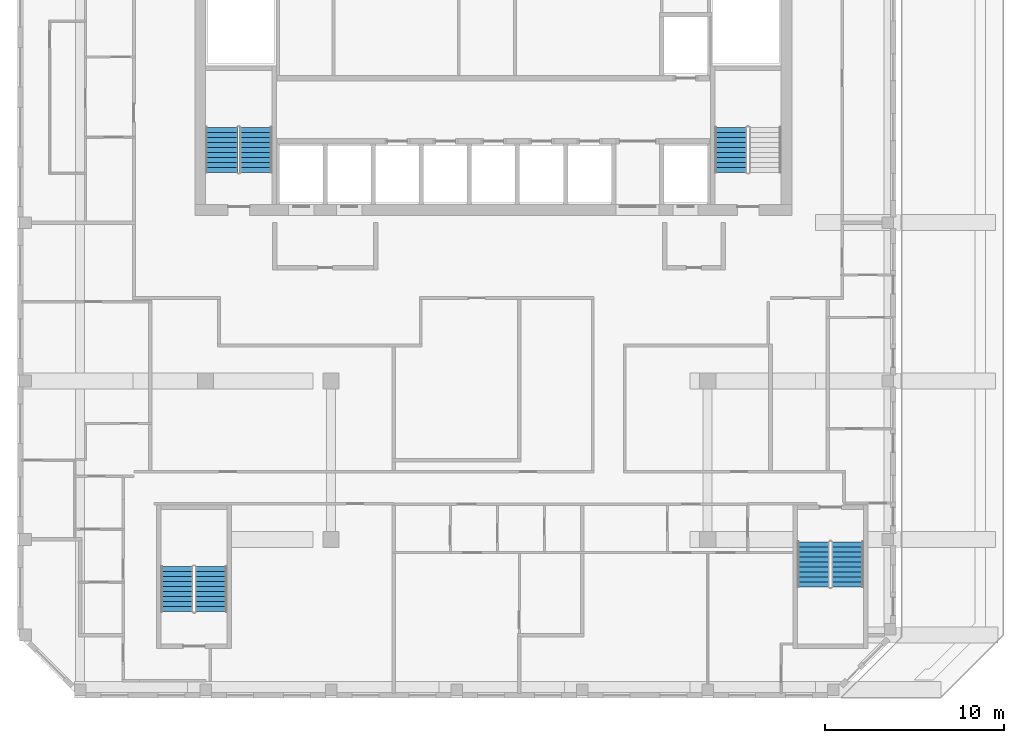
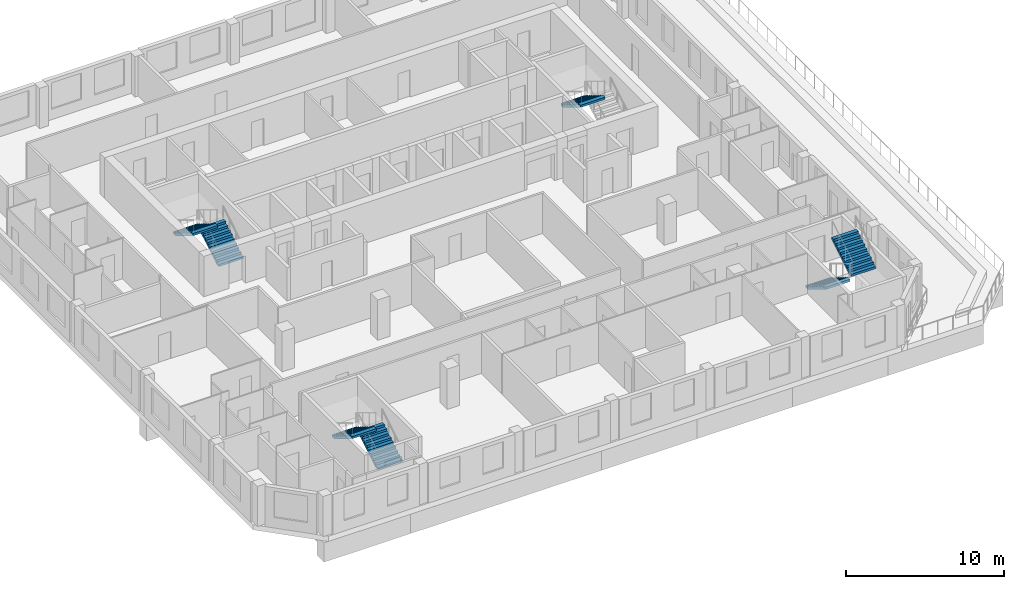
# One storey, part 10 of 13: 7 stair flights, 4 elements without a shape of their own.
"""IFC4 building model written with IfcOpenShell, lengths in metres."""

from ifc_helpers import new_model, si_unit, direction, frame, origin, place, context, subcontext, project, spatial, triangles, source, transform, mapped, material, type_object, element, aggregate, save


model = new_model("IFC4")

# Units and contexts
model_context = context("Model", 3, precision=1e-05, world=origin(), true_north=direction((0.0, 1.0)))
body_context = subcontext(model_context, "Body", "Model", "MODEL_VIEW")
ifc_project = project(units=[si_unit("LENGTHUNIT", "METRE"), si_unit("AREAUNIT", "SQUARE_METRE"), si_unit("VOLUMEUNIT", "CUBIC_METRE"), si_unit("PLANEANGLEUNIT", "RADIAN"), si_unit("MASSUNIT", "GRAM", prefix="KILO")], contexts=[model_context])

# Site, building, storey
site_placement = place(None, origin())
site = spatial("IfcSite", under=ifc_project, at=site_placement, CompositionType="ELEMENT")
building_placement = place(site_placement, origin())
building = spatial("IfcBuilding", under=site, at=building_placement, Name="Kilnfold Tower and Market Hall", CompositionType="ELEMENT")
storey_placement = place(building_placement, frame((0.0, 0.0, 267.0)))
storey = spatial("IfcBuildingStorey", under=building, at=storey_placement, Name="L65", CompositionType="ELEMENT", Elevation=267.0)

# Stair, stair flights
ifc_material_1 = material(Name="Concrete C40/50", Category="concrete")
stair_type = type_object("IfcStairType", Name="CORE STAIR 1800", PredefinedType="HALF_TURN_STAIR", material=ifc_material_1)
stair_1_placement = place(storey_placement, origin())
stair_1 = element("IfcStair", 1, at=stair_1_placement, inside=storey, type_object=stair_type, Name="L65 ST1", PredefinedType="HALF_TURN_STAIR")
ifc_material_2 = material(Name="Concrete C40/50", Category="concrete")
stair_flight_type = type_object("IfcStairFlightType", Name="CORE STAIR FLIGHT 1800", PredefinedType="STRAIGHT", material=ifc_material_2)
shared_shape = source(origin(), body_context, "Body", "Tessellation", [
    triangles([(0.0, 0.89990234375, 0.0), (0.0, 0.78759765625, 0.0), (0.0, 0.675048828125, 0.0), (0.0, 0.5625, 0.0), (0.0, 0.449951171875, 0.0), (0.0, 0.33740234375, 0.0), (0.0, 0.22509765625, 0.0), (0.0, 0.112548828125, 0.0), (0.0, 0.0, 0.0), (0.0, -0.112548828125, 0.0), (0.0, -0.22509765625, 0.0), (0.0, -0.33740234375, 0.0), (0.0, -0.449951171875, 0.0), (0.0, -0.5625, 0.0), (0.0, -0.675048828125, 0.0), (0.0, -0.78759765625, 0.0), (0.0, -0.89990234375, 0.0), (0.0, 0.89990234375, 0.169921875), (0.0, 0.78759765625, 0.169921875), (0.0, 0.675048828125, 0.169921875), (0.0, 0.5625, 0.169921875), (0.0, 0.449951171875, 0.169921875), (0.0, 0.33740234375, 0.169921875), (0.0, 0.22509765625, 0.169921875), (0.0, 0.112548828125, 0.169921875), (0.0, 0.0, 0.169921875), (0.0, -0.112548828125, 0.169921875), (0.0, -0.22509765625, 0.169921875), (0.0, -0.33740234375, 0.169921875), (0.0, -0.449951171875, 0.169921875), (0.0, -0.5625, 0.169921875), (0.0, -0.675048828125, 0.169921875), (0.0, -0.78759765625, 0.169921875), (0.0, -0.89990234375, 0.169921875), (0.280029296875, 0.89990234375, 0.169921875), (0.280029296875, 0.78759765625, 0.169921875), (0.280029296875, 0.675048828125, 0.169921875), (0.280029296875, 0.5625, 0.169921875), (0.280029296875, 0.449951171875, 0.169921875), (0.280029296875, 0.33740234375, 0.169921875), (0.280029296875, 0.22509765625, 0.169921875), (0.280029296875, 0.112548828125, 0.169921875), (0.280029296875, 0.0, 0.169921875), (0.280029296875, -0.112548828125, 0.169921875), (0.280029296875, -0.22509765625, 0.169921875), (0.280029296875, -0.33740234375, 0.169921875), (0.280029296875, -0.449951171875, 0.169921875), (0.280029296875, -0.5625, 0.169921875), (0.280029296875, -0.675048828125, 0.169921875), (0.280029296875, -0.78759765625, 0.169921875), (0.280029296875, -0.89990234375, 0.169921875), (0.280029296875, 0.89990234375, 0.340087890625), (0.280029296875, 0.78759765625, 0.340087890625), (0.280029296875, 0.675048828125, 0.340087890625), (0.280029296875, 0.5625, 0.340087890625), (0.280029296875, 0.449951171875, 0.340087890625), (0.280029296875, 0.33740234375, 0.340087890625), (0.280029296875, 0.22509765625, 0.340087890625), (0.280029296875, 0.112548828125, 0.340087890625), (0.280029296875, 0.0, 0.340087890625), (0.280029296875, -0.112548828125, 0.340087890625), (0.280029296875, -0.22509765625, 0.340087890625), (0.280029296875, -0.33740234375, 0.340087890625), (0.280029296875, -0.449951171875, 0.340087890625), (0.280029296875, -0.5625, 0.340087890625), (0.280029296875, -0.675048828125, 0.340087890625), (0.280029296875, -0.78759765625, 0.340087890625), (0.280029296875, -0.89990234375, 0.340087890625), (0.56005859375, 0.89990234375, 0.340087890625), (0.56005859375, 0.78759765625, 0.340087890625), (0.56005859375, 0.675048828125, 0.340087890625), (0.56005859375, 0.5625, 0.340087890625), (0.56005859375, 0.449951171875, 0.340087890625), (0.56005859375, 0.33740234375, 0.340087890625), (0.56005859375, 0.22509765625, 0.340087890625), (0.56005859375, 0.112548828125, 0.340087890625), (0.56005859375, 0.0, 0.340087890625), (0.56005859375, -0.112548828125, 0.340087890625), (0.56005859375, -0.22509765625, 0.340087890625), (0.56005859375, -0.33740234375, 0.340087890625), (0.56005859375, -0.449951171875, 0.340087890625), (0.56005859375, -0.5625, 0.340087890625), (0.56005859375, -0.675048828125, 0.340087890625), (0.56005859375, -0.78759765625, 0.340087890625), (0.56005859375, -0.89990234375, 0.340087890625), (0.56005859375, 0.89990234375, 0.510009765625), (0.56005859375, 0.78759765625, 0.510009765625), (0.56005859375, 0.675048828125, 0.510009765625), (0.56005859375, 0.5625, 0.510009765625), (0.56005859375, 0.449951171875, 0.510009765625), (0.56005859375, 0.33740234375, 0.510009765625), (0.56005859375, 0.22509765625, 0.510009765625), (0.56005859375, 0.112548828125, 0.510009765625), (0.56005859375, 0.0, 0.510009765625), (0.56005859375, -0.112548828125, 0.510009765625), (0.56005859375, -0.22509765625, 0.510009765625), (0.56005859375, -0.33740234375, 0.510009765625), (0.56005859375, -0.449951171875, 0.510009765625), (0.56005859375, -0.5625, 0.510009765625), (0.56005859375, -0.675048828125, 0.510009765625), (0.56005859375, -0.78759765625, 0.510009765625), (0.56005859375, -0.89990234375, 0.510009765625), (0.840087890625, 0.89990234375, 0.510009765625), (0.840087890625, 0.78759765625, 0.510009765625), (0.840087890625, 0.675048828125, 0.510009765625), (0.840087890625, 0.5625, 0.510009765625), (0.840087890625, 0.449951171875, 0.510009765625), (0.840087890625, 0.33740234375, 0.510009765625), (0.840087890625, 0.22509765625, 0.510009765625), (0.840087890625, 0.112548828125, 0.510009765625), (0.840087890625, 0.0, 0.510009765625), (0.840087890625, -0.112548828125, 0.510009765625), (0.840087890625, -0.22509765625, 0.510009765625), (0.840087890625, -0.33740234375, 0.510009765625), (0.840087890625, -0.449951171875, 0.510009765625), (0.840087890625, -0.5625, 0.510009765625), (0.840087890625, -0.675048828125, 0.510009765625), (0.840087890625, -0.78759765625, 0.510009765625), (0.840087890625, -0.89990234375, 0.510009765625), (0.840087890625, 0.89990234375, 0.679931640625), (0.840087890625, 0.78759765625, 0.679931640625), (0.840087890625, 0.675048828125, 0.679931640625), (0.840087890625, 0.5625, 0.679931640625), (0.840087890625, 0.449951171875, 0.679931640625), (0.840087890625, 0.33740234375, 0.679931640625), (0.840087890625, 0.22509765625, 0.679931640625), (0.840087890625, 0.112548828125, 0.679931640625), (0.840087890625, 0.0, 0.679931640625), (0.840087890625, -0.112548828125, 0.679931640625), (0.840087890625, -0.22509765625, 0.679931640625), (0.840087890625, -0.33740234375, 0.679931640625), (0.840087890625, -0.449951171875, 0.679931640625), (0.840087890625, -0.5625, 0.679931640625), (0.840087890625, -0.675048828125, 0.679931640625), (0.840087890625, -0.78759765625, 0.679931640625), (0.840087890625, -0.89990234375, 0.679931640625), (1.1201171875, 0.89990234375, 0.679931640625), (1.1201171875, 0.78759765625, 0.679931640625), (1.1201171875, 0.675048828125, 0.679931640625), (1.1201171875, 0.5625, 0.679931640625), (1.1201171875, 0.449951171875, 0.679931640625), (1.1201171875, 0.33740234375, 0.679931640625), (1.1201171875, 0.22509765625, 0.679931640625), (1.1201171875, 0.112548828125, 0.679931640625), (1.1201171875, 0.0, 0.679931640625), (1.1201171875, -0.112548828125, 0.679931640625), (1.1201171875, -0.22509765625, 0.679931640625), (1.1201171875, -0.33740234375, 0.679931640625), (1.1201171875, -0.449951171875, 0.679931640625), (1.1201171875, -0.5625, 0.679931640625), (1.1201171875, -0.675048828125, 0.679931640625), (1.1201171875, -0.78759765625, 0.679931640625), (1.1201171875, -0.89990234375, 0.679931640625), (1.1201171875, 0.89990234375, 0.85009765625), (1.1201171875, 0.78759765625, 0.85009765625), (1.1201171875, 0.675048828125, 0.85009765625), (1.1201171875, 0.5625, 0.85009765625), (1.1201171875, 0.449951171875, 0.85009765625), (1.1201171875, 0.33740234375, 0.85009765625), (1.1201171875, 0.22509765625, 0.85009765625), (1.1201171875, 0.112548828125, 0.85009765625), (1.1201171875, 0.0, 0.85009765625), (1.1201171875, -0.112548828125, 0.85009765625), (1.1201171875, -0.22509765625, 0.85009765625), (1.1201171875, -0.33740234375, 0.85009765625), (1.1201171875, -0.449951171875, 0.85009765625), (1.1201171875, -0.5625, 0.85009765625), (1.1201171875, -0.675048828125, 0.85009765625), (1.1201171875, -0.78759765625, 0.85009765625), (1.1201171875, -0.89990234375, 0.85009765625), (1.39990234375, 0.89990234375, 0.85009765625), (1.39990234375, 0.78759765625, 0.85009765625), (1.39990234375, 0.675048828125, 0.85009765625), (1.39990234375, 0.5625, 0.85009765625), (1.39990234375, 0.449951171875, 0.85009765625), (1.39990234375, 0.33740234375, 0.85009765625), (1.39990234375, 0.22509765625, 0.85009765625), (1.39990234375, 0.112548828125, 0.85009765625), (1.39990234375, 0.0, 0.85009765625), (1.39990234375, -0.112548828125, 0.85009765625), (1.39990234375, -0.22509765625, 0.85009765625), (1.39990234375, -0.33740234375, 0.85009765625), (1.39990234375, -0.449951171875, 0.85009765625), (1.39990234375, -0.5625, 0.85009765625), (1.39990234375, -0.675048828125, 0.85009765625), (1.39990234375, -0.78759765625, 0.85009765625), (1.39990234375, -0.89990234375, 0.85009765625), (1.39990234375, 0.89990234375, 1.02001953125), (1.39990234375, 0.78759765625, 1.02001953125), (1.39990234375, 0.675048828125, 1.02001953125), (1.39990234375, 0.5625, 1.02001953125), (1.39990234375, 0.449951171875, 1.02001953125), (1.39990234375, 0.33740234375, 1.02001953125), (1.39990234375, 0.22509765625, 1.02001953125), (1.39990234375, 0.112548828125, 1.02001953125), (1.39990234375, 0.0, 1.02001953125), (1.39990234375, -0.112548828125, 1.02001953125), (1.39990234375, -0.22509765625, 1.02001953125), (1.39990234375, -0.33740234375, 1.02001953125), (1.39990234375, -0.449951171875, 1.02001953125), (1.39990234375, -0.5625, 1.02001953125), (1.39990234375, -0.675048828125, 1.02001953125), (1.39990234375, -0.78759765625, 1.02001953125), (1.39990234375, -0.89990234375, 1.02001953125), (1.679931640625, 0.89990234375, 1.02001953125), (1.679931640625, 0.78759765625, 1.02001953125), (1.679931640625, 0.675048828125, 1.02001953125), (1.679931640625, 0.5625, 1.02001953125), (1.679931640625, 0.449951171875, 1.02001953125), (1.679931640625, 0.33740234375, 1.02001953125), (1.679931640625, 0.22509765625, 1.02001953125), (1.679931640625, 0.112548828125, 1.02001953125), (1.679931640625, 0.0, 1.02001953125), (1.679931640625, -0.112548828125, 1.02001953125), (1.679931640625, -0.22509765625, 1.02001953125), (1.679931640625, -0.33740234375, 1.02001953125), (1.679931640625, -0.449951171875, 1.02001953125), (1.679931640625, -0.5625, 1.02001953125), (1.679931640625, -0.675048828125, 1.02001953125), (1.679931640625, -0.78759765625, 1.02001953125), (1.679931640625, -0.89990234375, 1.02001953125), (1.679931640625, 0.89990234375, 1.18994140625), (1.679931640625, 0.78759765625, 1.18994140625), (1.679931640625, 0.675048828125, 1.18994140625), (1.679931640625, 0.5625, 1.18994140625), (1.679931640625, 0.449951171875, 1.18994140625), (1.679931640625, 0.33740234375, 1.18994140625), (1.679931640625, 0.22509765625, 1.18994140625), (1.679931640625, 0.112548828125, 1.18994140625), (1.679931640625, 0.0, 1.18994140625), (1.679931640625, -0.112548828125, 1.18994140625), (1.679931640625, -0.22509765625, 1.18994140625), (1.679931640625, -0.33740234375, 1.18994140625), (1.679931640625, -0.449951171875, 1.18994140625), (1.679931640625, -0.5625, 1.18994140625), (1.679931640625, -0.675048828125, 1.18994140625), (1.679931640625, -0.78759765625, 1.18994140625), (1.679931640625, -0.89990234375, 1.18994140625), (1.9599609375, 0.89990234375, 1.18994140625), (1.9599609375, 0.78759765625, 1.18994140625), (1.9599609375, 0.675048828125, 1.18994140625), (1.9599609375, 0.5625, 1.18994140625), (1.9599609375, 0.449951171875, 1.18994140625), (1.9599609375, 0.33740234375, 1.18994140625), (1.9599609375, 0.22509765625, 1.18994140625), (1.9599609375, 0.112548828125, 1.18994140625), (1.9599609375, 0.0, 1.18994140625), (1.9599609375, -0.112548828125, 1.18994140625), (1.9599609375, -0.22509765625, 1.18994140625), (1.9599609375, -0.33740234375, 1.18994140625), (1.9599609375, -0.449951171875, 1.18994140625), (1.9599609375, -0.5625, 1.18994140625), (1.9599609375, -0.675048828125, 1.18994140625), (1.9599609375, -0.78759765625, 1.18994140625), (1.9599609375, -0.89990234375, 1.18994140625), (1.9599609375, 0.89990234375, 1.360107421875), (1.9599609375, 0.78759765625, 1.360107421875), (1.9599609375, 0.675048828125, 1.360107421875), (1.9599609375, 0.5625, 1.360107421875), (1.9599609375, 0.449951171875, 1.360107421875), (1.9599609375, 0.33740234375, 1.360107421875), (1.9599609375, 0.22509765625, 1.360107421875), (1.9599609375, 0.112548828125, 1.360107421875), (1.9599609375, 0.0, 1.360107421875), (1.9599609375, -0.112548828125, 1.360107421875), (1.9599609375, -0.22509765625, 1.360107421875), (1.9599609375, -0.33740234375, 1.360107421875), (1.9599609375, -0.449951171875, 1.360107421875), (1.9599609375, -0.5625, 1.360107421875), (1.9599609375, -0.675048828125, 1.360107421875), (1.9599609375, -0.78759765625, 1.360107421875), (1.9599609375, -0.89990234375, 1.360107421875), (2.239990234375, 0.89990234375, 1.360107421875), (2.239990234375, 0.78759765625, 1.360107421875), (2.239990234375, 0.675048828125, 1.360107421875), (2.239990234375, 0.5625, 1.360107421875), (2.239990234375, 0.449951171875, 1.360107421875), (2.239990234375, 0.33740234375, 1.360107421875), (2.239990234375, 0.22509765625, 1.360107421875), (2.239990234375, 0.112548828125, 1.360107421875), (2.239990234375, 0.0, 1.360107421875), (2.239990234375, -0.112548828125, 1.360107421875), (2.239990234375, -0.22509765625, 1.360107421875), (2.239990234375, -0.33740234375, 1.360107421875), (2.239990234375, -0.449951171875, 1.360107421875), (2.239990234375, -0.5625, 1.360107421875), (2.239990234375, -0.675048828125, 1.360107421875), (2.239990234375, -0.78759765625, 1.360107421875), (2.239990234375, -0.89990234375, 1.360107421875), (2.239990234375, 0.89990234375, 1.530029296875), (2.239990234375, 0.78759765625, 1.530029296875), (2.239990234375, 0.675048828125, 1.530029296875), (2.239990234375, 0.5625, 1.530029296875), (2.239990234375, 0.449951171875, 1.530029296875), (2.239990234375, 0.33740234375, 1.530029296875), (2.239990234375, 0.22509765625, 1.530029296875), (2.239990234375, 0.112548828125, 1.530029296875), (2.239990234375, 0.0, 1.530029296875), (2.239990234375, -0.112548828125, 1.530029296875), (2.239990234375, -0.22509765625, 1.530029296875), (2.239990234375, -0.33740234375, 1.530029296875), (2.239990234375, -0.449951171875, 1.530029296875), (2.239990234375, -0.5625, 1.530029296875), (2.239990234375, -0.675048828125, 1.530029296875), (2.239990234375, -0.78759765625, 1.530029296875), (2.239990234375, -0.89990234375, 1.530029296875), (2.52001953125, 0.89990234375, 1.530029296875), (2.52001953125, 0.78759765625, 1.530029296875), (2.52001953125, 0.675048828125, 1.530029296875), (2.52001953125, 0.5625, 1.530029296875), (2.52001953125, 0.449951171875, 1.530029296875), (2.52001953125, 0.33740234375, 1.530029296875), (2.52001953125, 0.22509765625, 1.530029296875), (2.52001953125, 0.112548828125, 1.530029296875), (2.52001953125, 0.0, 1.530029296875), (2.52001953125, -0.112548828125, 1.530029296875), (2.52001953125, -0.22509765625, 1.530029296875), (2.52001953125, -0.33740234375, 1.530029296875), (2.52001953125, -0.449951171875, 1.530029296875), (2.52001953125, -0.5625, 1.530029296875), (2.52001953125, -0.675048828125, 1.530029296875), (2.52001953125, -0.78759765625, 1.530029296875), (2.52001953125, -0.89990234375, 1.530029296875), (2.52001953125, 0.89990234375, 1.354736328125), (2.52001953125, 0.78759765625, 1.354736328125), (2.52001953125, 0.675048828125, 1.354736328125), (2.52001953125, 0.5625, 1.354736328125), (2.52001953125, 0.449951171875, 1.354736328125), (2.52001953125, 0.33740234375, 1.354736328125), (2.52001953125, 0.22509765625, 1.354736328125), (2.52001953125, 0.112548828125, 1.354736328125), (2.52001953125, 0.0, 1.354736328125), (2.52001953125, -0.112548828125, 1.354736328125), (2.52001953125, -0.22509765625, 1.354736328125), (2.52001953125, -0.33740234375, 1.354736328125), (2.52001953125, -0.449951171875, 1.354736328125), (2.52001953125, -0.5625, 1.354736328125), (2.52001953125, -0.675048828125, 1.354736328125), (2.52001953125, -0.78759765625, 1.354736328125), (2.52001953125, -0.89990234375, 1.354736328125), (0.288818359375, 0.89990234375, 0.0), (0.288818359375, 0.78759765625, 0.0), (0.288818359375, 0.675048828125, 0.0), (0.288818359375, 0.5625, 0.0), (0.288818359375, 0.449951171875, 0.0), (0.288818359375, 0.33740234375, 0.0), (0.288818359375, 0.22509765625, 0.0), (0.288818359375, 0.112548828125, 0.0), (0.288818359375, 0.0, 0.0), (0.288818359375, -0.112548828125, 0.0), (0.288818359375, -0.22509765625, 0.0), (0.288818359375, -0.33740234375, 0.0), (0.288818359375, -0.449951171875, 0.0), (0.288818359375, -0.5625, 0.0), (0.288818359375, -0.675048828125, 0.0), (0.288818359375, -0.78759765625, 0.0), (0.288818359375, -0.89990234375, 0.0)], [[1, 324, 341], [17, 357, 340], [324, 290, 307], [340, 323, 306], [324, 273, 290], [340, 306, 289], [324, 256, 273], [340, 289, 272], [324, 239, 256], [340, 272, 255], [239, 205, 222], [255, 238, 221], [324, 205, 239], [340, 255, 221], [205, 171, 188], [221, 204, 187], [324, 171, 205], [340, 221, 187], [171, 137, 154], [187, 170, 153], [324, 137, 171], [340, 187, 153], [137, 103, 120], [153, 136, 119], [324, 103, 137], [340, 153, 119], [103, 69, 86], [119, 102, 85], [324, 69, 103], [340, 119, 85], [69, 35, 52], [85, 68, 51], [324, 35, 69], [340, 85, 51], [1, 35, 324], [17, 340, 51], [35, 1, 18], [51, 34, 17], [1, 19, 18], [1, 2, 19], [2, 20, 19], [2, 3, 20], [3, 21, 20], [3, 4, 21], [4, 22, 21], [4, 5, 22], [5, 23, 22], [5, 6, 23], [6, 24, 23], [6, 7, 24], [7, 25, 24], [7, 8, 25], [8, 26, 25], [8, 9, 26], [9, 27, 26], [9, 10, 27], [10, 28, 27], [10, 11, 28], [11, 29, 28], [11, 12, 29], [12, 30, 29], [12, 13, 30], [13, 31, 30], [13, 14, 31], [14, 32, 31], [14, 15, 32], [15, 33, 32], [15, 16, 33], [16, 34, 33], [16, 17, 34], [18, 36, 35], [18, 19, 36], [19, 37, 36], [19, 20, 37], [20, 38, 37], [20, 21, 38], [21, 39, 38], [21, 22, 39], [22, 40, 39], [22, 23, 40], [23, 41, 40], [23, 24, 41], [24, 42, 41], [24, 25, 42], [25, 43, 42], [25, 26, 43], [26, 44, 43], [26, 27, 44], [27, 45, 44], [27, 28, 45], [28, 46, 45], [28, 29, 46], [29, 47, 46], [29, 30, 47], [30, 48, 47], [30, 31, 48], [31, 49, 48], [31, 32, 49], [32, 50, 49], [32, 33, 50], [33, 51, 50], [33, 34, 51], [35, 53, 52], [35, 36, 53], [36, 54, 53], [36, 37, 54], [37, 55, 54], [37, 38, 55], [38, 56, 55], [38, 39, 56], [39, 57, 56], [39, 40, 57], [40, 58, 57], [40, 41, 58], [41, 59, 58], [41, 42, 59], [42, 60, 59], [42, 43, 60], [43, 61, 60], [43, 44, 61], [44, 62, 61], [44, 45, 62], [45, 63, 62], [45, 46, 63], [46, 64, 63], [46, 47, 64], [47, 65, 64], [47, 48, 65], [48, 66, 65], [48, 49, 66], [49, 67, 66], [49, 50, 67], [50, 68, 67], [50, 51, 68], [52, 70, 69], [52, 53, 70], [53, 71, 70], [53, 54, 71], [54, 72, 71], [54, 55, 72], [55, 73, 72], [55, 56, 73], [56, 74, 73], [56, 57, 74], [57, 75, 74], [57, 58, 75], [58, 76, 75], [58, 59, 76], [59, 77, 76], [59, 60, 77], [60, 78, 77], [60, 61, 78], [61, 79, 78], [61, 62, 79], [62, 80, 79], [62, 63, 80], [63, 81, 80], [63, 64, 81], [64, 82, 81], [64, 65, 82], [65, 83, 82], [65, 66, 83], [66, 84, 83], [66, 67, 84], [67, 85, 84], [67, 68, 85], [69, 87, 86], [69, 70, 87], [70, 88, 87], [70, 71, 88], [71, 89, 88], [71, 72, 89], [72, 90, 89], [72, 73, 90], [73, 91, 90], [73, 74, 91], [74, 92, 91], [74, 75, 92], [75, 93, 92], [75, 76, 93], [76, 94, 93], [76, 77, 94], [77, 95, 94], [77, 78, 95], [78, 96, 95], [78, 79, 96], [79, 97, 96], [79, 80, 97], [80, 98, 97], [80, 81, 98], [81, 99, 98], [81, 82, 99], [82, 100, 99], [82, 83, 100], [83, 101, 100], [83, 84, 101], [84, 102, 101], [84, 85, 102], [86, 104, 103], [86, 87, 104], [87, 105, 104], [87, 88, 105], [88, 106, 105], [88, 89, 106], [89, 107, 106], [89, 90, 107], [90, 108, 107], [90, 91, 108], [91, 109, 108], [91, 92, 109], [92, 110, 109], [92, 93, 110], [93, 111, 110], [93, 94, 111], [94, 112, 111], [94, 95, 112], [95, 113, 112], [95, 96, 113], [96, 114, 113], [96, 97, 114], [97, 115, 114], [97, 98, 115], [98, 116, 115], [98, 99, 116], [99, 117, 116], [99, 100, 117], [100, 118, 117], [100, 101, 118], [101, 119, 118], [101, 102, 119], [103, 121, 120], [103, 104, 121], [104, 122, 121], [104, 105, 122], [105, 123, 122], [105, 106, 123], [106, 124, 123], [106, 107, 124], [107, 125, 124], [107, 108, 125], [108, 126, 125], [108, 109, 126], [109, 127, 126], [109, 110, 127], [110, 128, 127], [110, 111, 128], [111, 129, 128], [111, 112, 129], [112, 130, 129], [112, 113, 130], [113, 131, 130], [113, 114, 131], [114, 132, 131], [114, 115, 132], [115, 133, 132], [115, 116, 133], [116, 134, 133], [116, 117, 134], [117, 135, 134], [117, 118, 135], [118, 136, 135], [118, 119, 136], [120, 138, 137], [120, 121, 138], [121, 139, 138], [121, 122, 139], [122, 140, 139], [122, 123, 140], [123, 141, 140], [123, 124, 141], [124, 142, 141], [124, 125, 142], [125, 143, 142], [125, 126, 143], [126, 144, 143], [126, 127, 144], [127, 145, 144], [127, 128, 145], [128, 146, 145], [128, 129, 146], [129, 147, 146], [129, 130, 147], [130, 148, 147], [130, 131, 148], [131, 149, 148], [131, 132, 149], [132, 150, 149], [132, 133, 150], [133, 151, 150], [133, 134, 151], [134, 152, 151], [134, 135, 152], [135, 153, 152], [135, 136, 153], [137, 155, 154], [137, 138, 155], [138, 156, 155], [138, 139, 156], [139, 157, 156], [139, 140, 157], [140, 158, 157], [140, 141, 158], [141, 159, 158], [141, 142, 159], [142, 160, 159], [142, 143, 160], [143, 161, 160], [143, 144, 161], [144, 162, 161], [144, 145, 162], [145, 163, 162], [145, 146, 163], [146, 164, 163], [146, 147, 164], [147, 165, 164], [147, 148, 165], [148, 166, 165], [148, 149, 166], [149, 167, 166], [149, 150, 167], [150, 168, 167], [150, 151, 168], [151, 169, 168], [151, 152, 169], [152, 170, 169], [152, 153, 170], [154, 172, 171], [154, 155, 172], [155, 173, 172], [155, 156, 173], [156, 174, 173], [156, 157, 174], [157, 175, 174], [157, 158, 175], [158, 176, 175], [158, 159, 176], [159, 177, 176], [159, 160, 177], [160, 178, 177], [160, 161, 178], [161, 179, 178], [161, 162, 179], [162, 180, 179], [162, 163, 180], [163, 181, 180], [163, 164, 181], [164, 182, 181], [164, 165, 182], [165, 183, 182], [165, 166, 183], [166, 184, 183], [166, 167, 184], [167, 185, 184], [167, 168, 185], [168, 186, 185], [168, 169, 186], [169, 187, 186], [169, 170, 187], [171, 189, 188], [171, 172, 189], [172, 190, 189], [172, 173, 190], [173, 191, 190], [173, 174, 191], [174, 192, 191], [174, 175, 192], [175, 193, 192], [175, 176, 193], [176, 194, 193], [176, 177, 194], [177, 195, 194], [177, 178, 195], [178, 196, 195], [178, 179, 196], [179, 197, 196], [179, 180, 197], [180, 198, 197], [180, 181, 198], [181, 199, 198], [181, 182, 199], [182, 200, 199], [182, 183, 200], [183, 201, 200], [183, 184, 201], [184, 202, 201], [184, 185, 202], [185, 203, 202], [185, 186, 203], [186, 204, 203], [186, 187, 204], [188, 206, 205], [188, 189, 206], [189, 207, 206], [189, 190, 207], [190, 208, 207], [190, 191, 208], [191, 209, 208], [191, 192, 209], [192, 210, 209], [192, 193, 210], [193, 211, 210], [193, 194, 211], [194, 212, 211], [194, 195, 212], [195, 213, 212], [195, 196, 213], [196, 214, 213], [196, 197, 214], [197, 215, 214], [197, 198, 215], [198, 216, 215], [198, 199, 216], [199, 217, 216], [199, 200, 217], [200, 218, 217], [200, 201, 218], [201, 219, 218], [201, 202, 219], [202, 220, 219], [202, 203, 220], [203, 221, 220], [203, 204, 221], [205, 223, 222], [205, 206, 223], [206, 224, 223], [206, 207, 224], [207, 225, 224], [207, 208, 225], [208, 226, 225], [208, 209, 226], [209, 227, 226], [209, 210, 227], [210, 228, 227], [210, 211, 228], [211, 229, 228], [211, 212, 229], [212, 230, 229], [212, 213, 230], [213, 231, 230], [213, 214, 231], [214, 232, 231], [214, 215, 232], [215, 233, 232], [215, 216, 233], [216, 234, 233], [216, 217, 234], [217, 235, 234], [217, 218, 235], [218, 236, 235], [218, 219, 236], [219, 237, 236], [219, 220, 237], [220, 238, 237], [220, 221, 238], [222, 240, 239], [222, 223, 240], [223, 241, 240], [223, 224, 241], [224, 242, 241], [224, 225, 242], [225, 243, 242], [225, 226, 243], [226, 244, 243], [226, 227, 244], [227, 245, 244], [227, 228, 245], [228, 246, 245], [228, 229, 246], [229, 247, 246], [229, 230, 247], [230, 248, 247], [230, 231, 248], [231, 249, 248], [231, 232, 249], [232, 250, 249], [232, 233, 250], [233, 251, 250], [233, 234, 251], [234, 252, 251], [234, 235, 252], [235, 253, 252], [235, 236, 253], [236, 254, 253], [236, 237, 254], [237, 255, 254], [237, 238, 255], [239, 257, 256], [239, 240, 257], [240, 258, 257], [240, 241, 258], [241, 259, 258], [241, 242, 259], [242, 260, 259], [242, 243, 260], [243, 261, 260], [243, 244, 261], [244, 262, 261], [244, 245, 262], [245, 263, 262], [245, 246, 263], [246, 264, 263], [246, 247, 264], [247, 265, 264], [247, 248, 265], [248, 266, 265], [248, 249, 266], [249, 267, 266], [249, 250, 267], [250, 268, 267], [250, 251, 268], [251, 269, 268], [251, 252, 269], [252, 270, 269], [252, 253, 270], [253, 271, 270], [253, 254, 271], [254, 272, 271], [254, 255, 272], [256, 274, 273], [256, 257, 274], [257, 275, 274], [257, 258, 275], [258, 276, 275], [258, 259, 276], [259, 277, 276], [259, 260, 277], [260, 278, 277], [260, 261, 278], [261, 279, 278], [261, 262, 279], [262, 280, 279], [262, 263, 280], [263, 281, 280], [263, 264, 281], [264, 282, 281], [264, 265, 282], [265, 283, 282], [265, 266, 283], [266, 284, 283], [266, 267, 284], [267, 285, 284], [267, 268, 285], [268, 286, 285], [268, 269, 286], [269, 287, 286], [269, 270, 287], [270, 288, 287], [270, 271, 288], [271, 289, 288], [271, 272, 289], [273, 291, 290], [273, 274, 291], [274, 292, 291], [274, 275, 292], [275, 293, 292], [275, 276, 293], [276, 294, 293], [276, 277, 294], [277, 295, 294], [277, 278, 295], [278, 296, 295], [278, 279, 296], [279, 297, 296], [279, 280, 297], [280, 298, 297], [280, 281, 298], [281, 299, 298], [281, 282, 299], [282, 300, 299], [282, 283, 300], [283, 301, 300], [283, 284, 301], [284, 302, 301], [284, 285, 302], [285, 303, 302], [285, 286, 303], [286, 304, 303], [286, 287, 304], [287, 305, 304], [287, 288, 305], [288, 306, 305], [288, 289, 306], [290, 308, 307], [290, 291, 308], [291, 309, 308], [291, 292, 309], [292, 310, 309], [292, 293, 310], [293, 311, 310], [293, 294, 311], [294, 312, 311], [294, 295, 312], [295, 313, 312], [295, 296, 313], [296, 314, 313], [296, 297, 314], [297, 315, 314], [297, 298, 315], [298, 316, 315], [298, 299, 316], [299, 317, 316], [299, 300, 317], [300, 318, 317], [300, 301, 318], [301, 319, 318], [301, 302, 319], [302, 320, 319], [302, 303, 320], [303, 321, 320], [303, 304, 321], [304, 322, 321], [304, 305, 322], [305, 323, 322], [305, 306, 323], [307, 325, 324], [307, 308, 325], [308, 326, 325], [308, 309, 326], [309, 327, 326], [309, 310, 327], [310, 328, 327], [310, 311, 328], [311, 329, 328], [311, 312, 329], [312, 330, 329], [312, 313, 330], [313, 331, 330], [313, 314, 331], [314, 332, 331], [314, 315, 332], [315, 333, 332], [315, 316, 333], [316, 334, 333], [316, 317, 334], [317, 335, 334], [317, 318, 335], [318, 336, 335], [318, 319, 336], [319, 337, 336], [319, 320, 337], [320, 338, 337], [320, 321, 338], [321, 339, 338], [321, 322, 339], [322, 340, 339], [322, 323, 340], [324, 342, 341], [324, 325, 342], [325, 343, 342], [325, 326, 343], [326, 344, 343], [326, 327, 344], [327, 345, 344], [327, 328, 345], [328, 346, 345], [328, 329, 346], [329, 347, 346], [329, 330, 347], [330, 348, 347], [330, 331, 348], [331, 349, 348], [331, 332, 349], [332, 350, 349], [332, 333, 350], [333, 351, 350], [333, 334, 351], [334, 352, 351], [334, 335, 352], [335, 353, 352], [335, 336, 353], [336, 354, 353], [336, 337, 354], [337, 355, 354], [337, 338, 355], [338, 356, 355], [338, 339, 356], [339, 357, 356], [339, 340, 357], [341, 2, 1], [341, 342, 2], [342, 3, 2], [342, 343, 3], [343, 4, 3], [343, 344, 4], [344, 5, 4], [344, 345, 5], [345, 6, 5], [345, 346, 6], [346, 7, 6], [346, 347, 7], [347, 8, 7], [347, 348, 8], [348, 9, 8], [348, 349, 9], [349, 10, 9], [349, 350, 10], [350, 11, 10], [350, 351, 11], [351, 12, 11], [351, 352, 12], [352, 13, 12], [352, 353, 13], [353, 14, 13], [353, 354, 14], [354, 15, 14], [354, 355, 15], [355, 16, 15], [355, 356, 16], [356, 17, 16], [356, 357, 17]], closed=True),
])
stair_flight_1_placement = place(storey_placement, frame((-12.199951171875, 10.800048828125, 0.0), z_axis=(0.0, 0.0, 1.0), x_axis=(0.0, 1.0, 0.0)))
stair_flight_1 = element("IfcStairFlight", 2, at=stair_flight_1_placement, type_object=stair_flight_type, Name="ST1 flight 1", NumberOfRisers=10, NumberOfTreads=9, PredefinedType="STRAIGHT", RiserHeight=0.17, TreadLength=0.28, context=body_context, shape_type="MappedRepresentation", body=[
    mapped(shared_shape, transform((0.0, 0.0, 0.0))),
])
stair_flight_2_placement = place(storey_placement, frame((-14.10009765625, 13.320068359375, 1.699951171875), z_axis=(0.0, 0.0, 1.0), x_axis=(0.0, -1.0, 0.0)))
stair_flight_2 = element("IfcStairFlight", 3, at=stair_flight_2_placement, type_object=stair_flight_type, Name="ST1 flight 2", NumberOfRisers=10, NumberOfTreads=9, PredefinedType="STRAIGHT", RiserHeight=0.17, TreadLength=0.28, context=body_context, shape_type="MappedRepresentation", body=[
    mapped(shared_shape, transform((0.0, 0.0, 0.0))),
])
aggregate(stair_1, [stair_flight_1, stair_flight_2])

# Stair, stair flight
stair_2_placement = place(storey_placement, origin())
stair_2 = element("IfcStair", 4, at=stair_2_placement, inside=storey, type_object=stair_type, Name="L65 ST2", PredefinedType="HALF_TURN_STAIR")
stair_flight_3_placement = place(storey_placement, frame((14.300048828125, 13.320068359375, 1.699951171875), z_axis=(0.0, 0.0, 1.0), x_axis=(0.0, -1.0, 0.0)))
stair_flight_3 = element("IfcStairFlight", 5, at=stair_flight_3_placement, type_object=stair_flight_type, Name="ST2 flight 2", NumberOfRisers=10, NumberOfTreads=9, PredefinedType="STRAIGHT", RiserHeight=0.17, TreadLength=0.28, context=body_context, shape_type="MappedRepresentation", body=[
    mapped(shared_shape, transform((0.0, 0.0, 0.0))),
])
aggregate(stair_2, [stair_flight_3])

# Stair, stair flights
stair_3_placement = place(storey_placement, origin())
stair_3 = element("IfcStair", 6, at=stair_3_placement, inside=storey, type_object=stair_type, Name="L65 ST3", PredefinedType="HALF_TURN_STAIR")
stair_flight_4_placement = place(storey_placement, frame((-14.699951171875, -13.699951171875, 0.0), z_axis=(0.0, 0.0, 1.0), x_axis=(0.0, 1.0, 0.0)))
stair_flight_4 = element("IfcStairFlight", 7, at=stair_flight_4_placement, type_object=stair_flight_type, Name="ST3 flight 1", NumberOfRisers=10, NumberOfTreads=9, PredefinedType="STRAIGHT", RiserHeight=0.17, TreadLength=0.28, context=body_context, shape_type="MappedRepresentation", body=[
    mapped(shared_shape, transform((0.0, 0.0, 0.0))),
])
stair_flight_5_placement = place(storey_placement, frame((-16.60009765625, -11.179931640625, 1.699951171875), z_axis=(0.0, 0.0, 1.0), x_axis=(0.0, -1.0, 0.0)))
stair_flight_5 = element("IfcStairFlight", 8, at=stair_flight_5_placement, type_object=stair_flight_type, Name="ST3 flight 2", NumberOfRisers=10, NumberOfTreads=9, PredefinedType="STRAIGHT", RiserHeight=0.17, TreadLength=0.28, context=body_context, shape_type="MappedRepresentation", body=[
    mapped(shared_shape, transform((0.0, 0.0, 0.0))),
])
aggregate(stair_3, [stair_flight_4, stair_flight_5])

stair_4_placement = place(storey_placement, origin())
stair_4 = element("IfcStair", 9, at=stair_4_placement, inside=storey, type_object=stair_type, Name="L65 ST4", PredefinedType="HALF_TURN_STAIR")
stair_flight_6_placement = place(storey_placement, frame((18.89990234375, -9.800048828125, 0.0), z_axis=(0.0, 0.0, 1.0), x_axis=(0.0, -1.0, 0.0)))
stair_flight_6 = element("IfcStairFlight", 10, at=stair_flight_6_placement, type_object=stair_flight_type, Name="ST4 flight 1", NumberOfRisers=10, NumberOfTreads=9, PredefinedType="STRAIGHT", RiserHeight=0.17, TreadLength=0.28, context=body_context, shape_type="MappedRepresentation", body=[
    mapped(shared_shape, transform((0.0, 0.0, 0.0))),
])
stair_flight_7_placement = place(storey_placement, frame((20.800048828125, -12.320068359375, 1.699951171875), z_axis=(0.0, 0.0, 1.0), x_axis=(0.0, 1.0, 0.0)))
stair_flight_7 = element("IfcStairFlight", 11, at=stair_flight_7_placement, type_object=stair_flight_type, Name="ST4 flight 2", NumberOfRisers=10, NumberOfTreads=9, PredefinedType="STRAIGHT", RiserHeight=0.17, TreadLength=0.28, context=body_context, shape_type="MappedRepresentation", body=[
    mapped(shared_shape, transform((0.0, 0.0, 0.0))),
])
aggregate(stair_4, [stair_flight_6, stair_flight_7])

save(model, "model.ifc")
